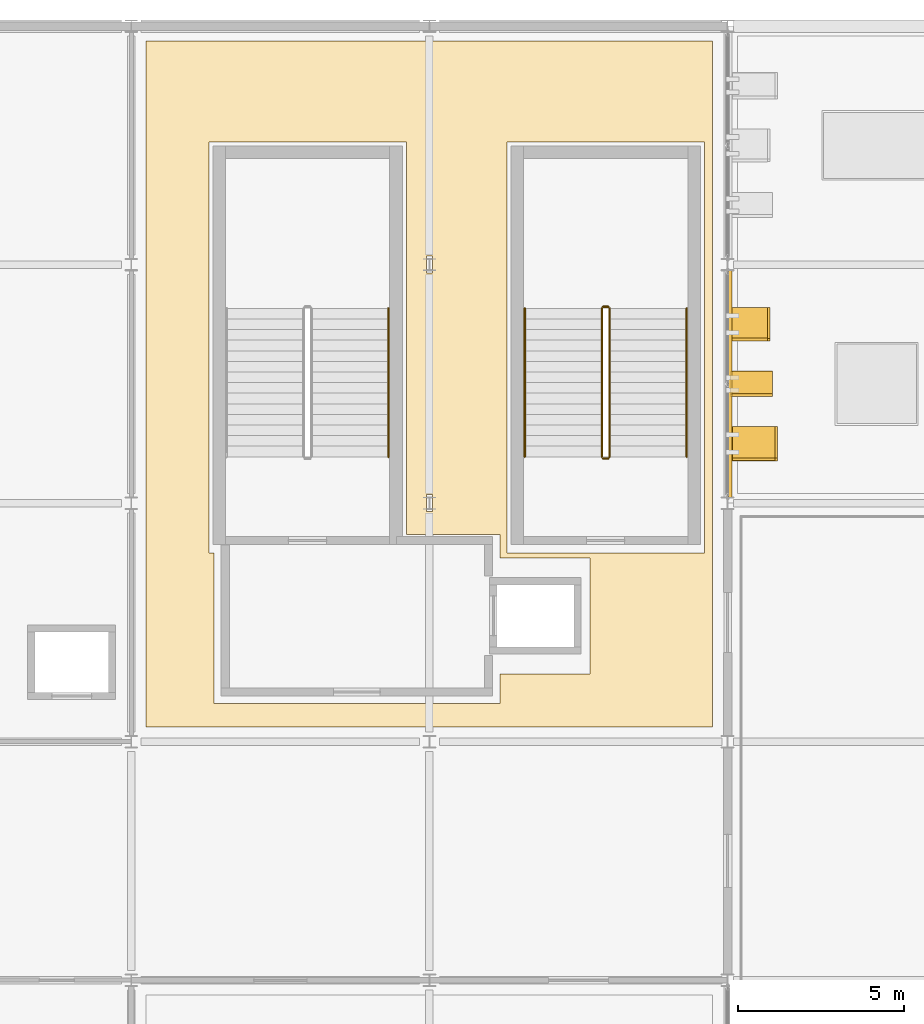
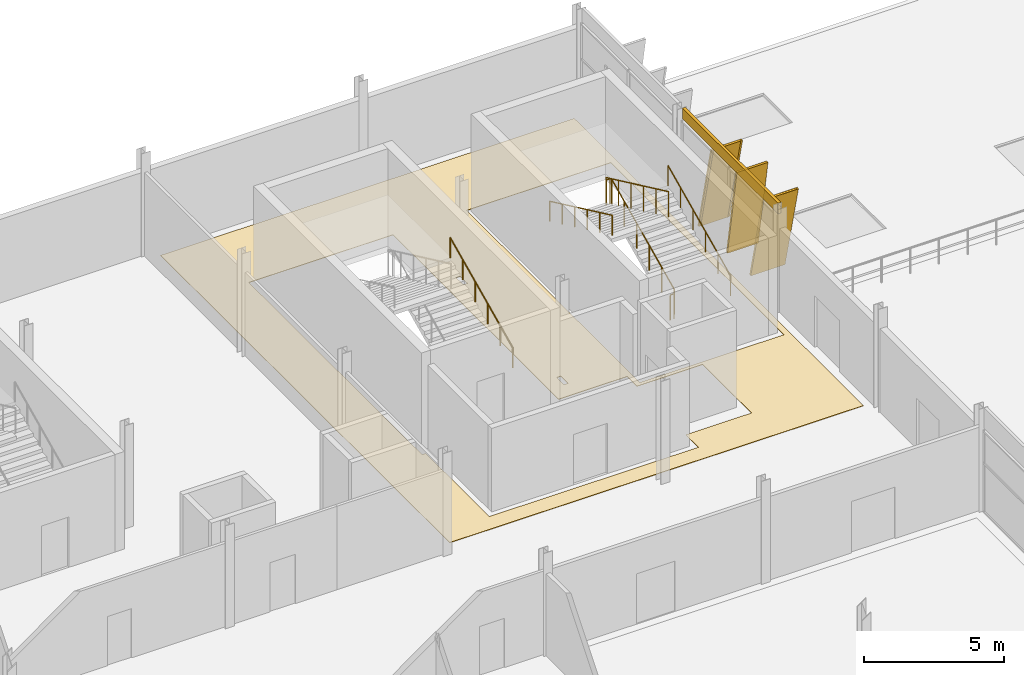
# One storey, part 77 of 78: 7 railings, 5 coverings, 3 shading devices.
"""IFC4 building model written with IfcOpenShell, lengths in metres."""

from ifc_helpers import new_model, si_unit, direction, frame, origin, origin_2d, place, context, subcontext, project, spatial, polyline, rectangle, circle, outline, extrude, material, layer, layer_set, material_profile, profile_set, type_object, element, save


model = new_model("IFC4")

# Units and contexts
model_context = context("Model", 3, precision=1e-05, world=origin(), true_north=direction((0.0, 1.0)))
body_context = subcontext(model_context, "Body", "Model", "MODEL_VIEW")
ifc_project = project(units=[si_unit("LENGTHUNIT", "METRE"), si_unit("AREAUNIT", "SQUARE_METRE"), si_unit("VOLUMEUNIT", "CUBIC_METRE"), si_unit("PLANEANGLEUNIT", "RADIAN"), si_unit("MASSUNIT", "GRAM", prefix="KILO")], contexts=[model_context])

# Site, building, storey
site_placement = place(None, origin())
site = spatial("IfcSite", under=ifc_project, at=site_placement, CompositionType="ELEMENT")
building_placement = place(site_placement, origin())
building = spatial("IfcBuilding", under=site, at=building_placement, Name="Celestram Park Convention Centre", CompositionType="ELEMENT")
storey_placement = place(building_placement, frame((0.0, 0.0, 19.800048828125)))
storey = spatial("IfcBuildingStorey", under=building, at=storey_placement, Name="L04", CompositionType="ELEMENT", Elevation=19.800048828125)

# Coverings
ifc_material_1 = material(Name="Anodised Bronze Aluminium Spandrel Cladding", Category="aluminium")
ifc_layer_1 = layer(ifc_material_1, 0.050048828125)
ifc_layer_set_1 = layer_set([ifc_layer_1], Name="Anodised Bronze Aluminium Spandrel Cladding")
covering_type_1 = type_object("IfcCoveringType", Name="ARC-COV-CLD060", PredefinedType="CLADDING", material=ifc_layer_set_1)
covering_1_placement = place(storey_placement, frame((99.080078125, 154.800048828125, 4.02978515625), z_axis=(0.0, 0.0, 1.0), x_axis=(0.0, -1.0, 0.0)))
element("IfcCovering", 1, at=covering_1_placement, inside=storey, type_object=covering_type_1, Name="Bronze spandrel cladding CL-L04-238", PredefinedType="CLADDING", context=body_context, shape_type="SweptSolid", body=[
    extrude(rectangle(XDim=6.847900390625, YDim=0.1201171875, at=origin_2d()), origin(), (0.0, 0.0, 1.0), 0.469970703125),
])
ifc_material_2 = material(Name="Timber-Toned Anodised Aluminium Alloy 6063-T6", Category="wood")
ifc_material_profile_1 = material_profile(ifc_material_2, rectangle(XDim=1.1201171875, YDim=0.090087890625, at=origin_2d()), Name="REED1120X90")
ifc_profile_set_1 = profile_set([ifc_material_profile_1], Name="Timber-Toned Anodised Aluminium Alloy 6063-T6")
covering_type_2 = type_object("IfcCoveringType", Name="ARC-COV-FIN1120", PredefinedType="CLADDING", material=ifc_profile_set_1)
covering_2_placement = place(storey_placement, frame((99.639892578125, 157.0634765625, 0.059326171875), z_axis=(0.0, -0.231749798909, 0.972775426656), x_axis=(1.0, 0.0, 0.0)))
element("IfcCovering", 2, at=covering_2_placement, inside=storey, type_object=covering_type_2, Name="Leaning timber-toned reed fin RFN-L04-0756", PredefinedType="CLADDING", context=body_context, shape_type="SweptSolid", body=[
    extrude(rectangle(XDim=1.1201171875, YDim=0.090087890625, at=origin_2d()), origin(), (0.0, 0.0, 1.0), 4.0),
])
ifc_material_profile_2 = material_profile(ifc_material_2, rectangle(XDim=1.280029296875, YDim=0.090087890625, at=origin_2d()), Name="REED1280X90")
ifc_profile_set_2 = profile_set([ifc_material_profile_2], Name="Timber-Toned Anodised Aluminium Alloy 6063-T6")
covering_type_3 = type_object("IfcCoveringType", Name="ARC-COV-FIN1280", PredefinedType="CLADDING", material=ifc_profile_set_2)
covering_3_placement = place(storey_placement, frame((99.719970703125, 155.140380859375, 0.0341796875), z_axis=(0.0, -0.170166486945, 0.985415327017), x_axis=(1.0, 0.0, 0.0)))
element("IfcCovering", 3, at=covering_3_placement, inside=storey, type_object=covering_type_3, Name="Leaning timber-toned reed fin RFN-L04-0757", PredefinedType="CLADDING", context=body_context, shape_type="SweptSolid", body=[
    extrude(rectangle(XDim=1.280029296875, YDim=0.090087890625, at=origin_2d()), origin(), (0.0, 0.0, 1.0), 4.0),
])
ifc_material_profile_3 = material_profile(ifc_material_2, rectangle(XDim=1.419921875, YDim=0.090087890625, at=origin_2d()), Name="REED1420X90")
ifc_profile_set_3 = profile_set([ifc_material_profile_3], Name="Timber-Toned Anodised Aluminium Alloy 6063-T6")
covering_type_4 = type_object("IfcCoveringType", Name="ARC-COV-FIN1420", PredefinedType="CLADDING", material=ifc_profile_set_3)
covering_4_placement = place(storey_placement, frame((99.7900390625, 153.47705078125, 0.062744140625), z_axis=(0.0, -0.238526755046, 0.971135926185), x_axis=(1.0, 0.0, 0.0)))
element("IfcCovering", 4, at=covering_4_placement, inside=storey, type_object=covering_type_4, Name="Leaning timber-toned reed fin RFN-L04-0758", PredefinedType="CLADDING", context=body_context, shape_type="SweptSolid", body=[
    extrude(rectangle(XDim=1.419921875, YDim=0.090087890625, at=origin_2d()), origin(), (0.0, 0.0, 1.0), 4.0),
])
ifc_material_3 = material(Name="Polished Lakefront Aggregate Terrazzo Flooring", Category="concrete")
ifc_layer_2 = layer(ifc_material_3, 0.02001953125)
ifc_layer_set_2 = layer_set([ifc_layer_2], Name="Polished Lakefront Aggregate Terrazzo Flooring")
covering_type_5 = type_object("IfcCoveringType", Name="ARC-COV-FLR020", PredefinedType="FLOORING", material=ifc_layer_set_2)
covering_5_placement = place(storey_placement, origin())
element("IfcCovering", 5, at=covering_5_placement, inside=storey, type_object=covering_type_5, Name="East Elevator Lobby L04 terrazzo flooring", PredefinedType="FLOORING", context=body_context, shape_type="SweptSolid", body=[
    extrude(outline(polyline([(98.550048828125, 165.14990234375), (98.550048828125, 144.449951171875), (81.449951171875, 144.449951171875), (81.449951171875, 165.14990234375), (98.550048828125, 165.14990234375)]), holes=[polyline([(83.489990234375, 145.14990234375), (92.1298828125, 145.14990234375), (92.1298828125, 146.050048828125), (94.85009765625, 146.050048828125), (94.85009765625, 149.550048828125), (92.1298828125, 149.550048828125), (92.1298828125, 150.25), (89.300048828125, 150.25), (89.300048828125, 162.10009765625), (83.340087890625, 162.10009765625), (83.340087890625, 149.699951171875), (83.489990234375, 149.699951171875), (83.489990234375, 145.14990234375)]), polyline([(92.340087890625, 162.10009765625), (92.340087890625, 149.699951171875), (98.300048828125, 149.699951171875), (98.300048828125, 162.10009765625), (92.340087890625, 162.10009765625)]), polyline([(89.9150390625, 151.4560546875), (89.9150390625, 150.944091796875), (90.0849609375, 150.944091796875), (90.0849609375, 151.4560546875), (89.9150390625, 151.4560546875)]), polyline([(89.9150390625, 158.14404296875), (90.0849609375, 158.14404296875), (90.0849609375, 158.656005859375), (89.9150390625, 158.656005859375), (89.9150390625, 158.14404296875)])]), origin(), (0.0, 0.0, 1.0), 0.02001953125),
])

# Shading devices
ifc_material_4 = material(Name="Anodised Bronze Aluminium Alloy 6063-T6", Category="aluminium")
ifc_material_profile_4 = material_profile(ifc_material_4, rectangle(XDim=1.280029296875, YDim=0.080078125, at=origin_2d()), Name="FIN1280X80")
ifc_profile_set_4 = profile_set([ifc_material_profile_4], Name="Anodised Bronze Aluminium Alloy 6063-T6")
shading_device_type = type_object("IfcShadingDeviceType", Name="ARC-FIN-BZ1280", PredefinedType="USERDEFINED", material=ifc_profile_set_4)
for number, where, z_axis, x_axis, name in (
    (6, (99.639892578125, 157.0634765625, 0.059326171875), (0.0, -0.231749798909, 0.972775426656), (1.0, 0.0, 0.0), "Expressive solar fin FN-L04-0756"),
    (7, (99.719970703125, 155.140380859375, 0.0341796875), (0.0, -0.170166486945, 0.985415327017), (1.0, 0.0, 0.0), "Expressive solar fin FN-L04-0757"),
    (8, (99.7900390625, 153.47705078125, 0.062744140625), (0.0, -0.238526755046, 0.971135926185), (1.0, 0.0, 0.0), "Expressive solar fin FN-L04-0758"),
):
    element("IfcShadingDevice", number, at=place(storey_placement, frame(where, z_axis=z_axis, x_axis=x_axis)), inside=storey, type_object=shading_device_type, Name=name, ObjectType="SOLAR_FIN", PredefinedType="USERDEFINED", context=body_context, shape_type="SweptSolid", body=[
        extrude(rectangle(XDim=1.280029296875, YDim=0.080078125, at=origin_2d()), origin(), (0.0, 0.0, 1.0), 4.0),
    ])

# Railings
ifc_material_5 = material(Name="Stainless Steel AISI 316L & Laminated Glass", Category="steel")
ifc_layer_3 = layer(ifc_material_5, 0.06005859375)
ifc_layer_set_3 = layer_set([ifc_layer_3], Name="Stainless Steel AISI 316L & Laminated Glass")
railing_type_1 = type_object("IfcRailingType", Name="ARC-RL-GRD1120", PredefinedType="GUARDRAIL", material=ifc_layer_set_3)
railing_1_placement = place(storey_placement, frame((95.43603515625, 152.60009765625, 0.14990234375)))
element("IfcRailing", 9, at=railing_1_placement, inside=storey, type_object=railing_type_1, Name="L04 ST-19 stair guard 1", PredefinedType="GUARDRAIL", context=body_context, shape_type="SweptSolid", body=[
    extrude(circle(Radius=0.02392578125, at=origin_2d()), frame((0.0, 0.0, 1.09619140625), z_axis=(0.0, 0.905450639465, 0.424451574969), x_axis=(-1.0, 0.0, 0.0)), (0.0, 0.0, 1.0), 4.94775390625),
    extrude(circle(Radius=0.02099609375, at=origin_2d()), origin(), (0.0, 0.0, 1.0), 1.072021484375),
    extrude(circle(Radius=0.02099609375, at=origin_2d()), frame((0.0, 0.89599609375, 0.419921875)), (0.0, 0.0, 1.0), 1.072021484375),
    extrude(circle(Radius=0.02099609375, at=origin_2d()), frame((0.0, 1.7919921875, 0.840087890625)), (0.0, 0.0, 1.0), 1.072021484375),
    extrude(circle(Radius=0.02099609375, at=origin_2d()), frame((0.0, 2.68798828125, 1.260009765625)), (0.0, 0.0, 1.0), 1.072021484375),
    extrude(circle(Radius=0.02099609375, at=origin_2d()), frame((0.0, 3.583984375, 1.68017578125)), (0.0, 0.0, 1.0), 1.072021484375),
    extrude(circle(Radius=0.02099609375, at=origin_2d()), frame((0.0, 4.47998046875, 2.10009765625)), (0.0, 0.0, 1.0), 1.072021484375),
])
railing_2_placement = place(storey_placement, frame((95.39990234375, 157.1298828125, 2.25)))
element("IfcRailing", 10, at=railing_2_placement, inside=storey, type_object=railing_type_1, Name="L04 ST-19 stair guard 2", PredefinedType="GUARDRAIL", context=body_context, shape_type="SweptSolid", body=[
    extrude(circle(Radius=0.02392578125, at=origin_2d()), frame((0.0, 0.0, 1.09619140625), z_axis=(-1.0, 0.0, 0.0), x_axis=(0.0, -1.0, 0.0)), (0.0, 0.0, 1.0), 0.159912109375),
    extrude(circle(Radius=0.02099609375, at=origin_2d()), origin(), (0.0, 0.0, 1.0), 1.072021484375),
    extrude(circle(Radius=0.02099609375, at=origin_2d()), frame((-0.159912109375, 0.0, 0.0)), (0.0, 0.0, 1.0), 1.072021484375),
])
railing_3_placement = place(storey_placement, frame((95.2041015625, 157.080078125, 2.39990234375)))
element("IfcRailing", 11, at=railing_3_placement, inside=storey, type_object=railing_type_1, Name="L04 ST-19 stair guard 3", PredefinedType="GUARDRAIL", context=body_context, shape_type="SweptSolid", body=[
    extrude(circle(Radius=0.02392578125, at=origin_2d()), frame((0.0, 0.0, 1.09619140625), z_axis=(0.0, -0.905450639465, 0.424451574969), x_axis=(1.0, 0.0, 0.0)), (0.0, 0.0, 1.0), 4.94775390625),
    extrude(circle(Radius=0.02099609375, at=origin_2d()), origin(), (0.0, 0.0, 1.0), 1.072021484375),
    extrude(circle(Radius=0.02099609375, at=origin_2d()), frame((0.0, -0.89599609375, 0.419921875)), (0.0, 0.0, 1.0), 1.072021484375),
    extrude(circle(Radius=0.02099609375, at=origin_2d()), frame((0.0, -1.7919921875, 0.840087890625)), (0.0, 0.0, 1.0), 1.072021484375),
    extrude(circle(Radius=0.02099609375, at=origin_2d()), frame((0.0, -2.68798828125, 1.260009765625)), (0.0, 0.0, 1.0), 1.072021484375),
    extrude(circle(Radius=0.02099609375, at=origin_2d()), frame((0.0, -3.583984375, 1.68017578125)), (0.0, 0.0, 1.0), 1.072021484375),
    extrude(circle(Radius=0.02099609375, at=origin_2d()), frame((0.0, -4.47998046875, 2.10009765625)), (0.0, 0.0, 1.0), 1.072021484375),
])
railing_4_placement = place(storey_placement, frame((95.39990234375, 152.550048828125, 0.0)))
element("IfcRailing", 12, at=railing_4_placement, inside=storey, type_object=railing_type_1, Name="L04 ST-19 stair guard 4", PredefinedType="GUARDRAIL", context=body_context, shape_type="SweptSolid", body=[
    extrude(circle(Radius=0.02392578125, at=origin_2d()), frame((0.0, 0.0, 1.09619140625), z_axis=(-1.0, 0.0, 0.0), x_axis=(0.0, -1.0, 0.0)), (0.0, 0.0, 1.0), 0.159912109375),
    extrude(circle(Radius=0.02099609375, at=origin_2d()), origin(), (0.0, 0.0, 1.0), 1.072021484375),
    extrude(circle(Radius=0.02099609375, at=origin_2d()), frame((-0.159912109375, 0.0, 0.0)), (0.0, 0.0, 1.0), 1.072021484375),
])
ifc_material_6 = material(Name="Brushed Stainless Steel AISI 304", Category="steel")
ifc_layer_4 = layer(ifc_material_6, 0.048095703125)
ifc_layer_set_4 = layer_set([ifc_layer_4], Name="Brushed Stainless Steel AISI 304")
railing_type_2 = type_object("IfcRailingType", Name="ARC-RL-HND915", PredefinedType="HANDRAIL", material=ifc_layer_set_4)
for number, where, name in (
    (13, (88.763916015625, 152.60009765625, 0.14990234375), "L04 ST-02 stair handrail 1"),
    (14, (97.763916015625, 152.60009765625, 0.14990234375), "L04 ST-19 stair handrail 1"),
):
    element("IfcRailing", number, at=place(storey_placement, frame(where)), inside=storey, type_object=railing_type_2, Name=name, PredefinedType="HANDRAIL", context=body_context, shape_type="SweptSolid", body=[
        extrude(circle(Radius=0.02392578125, at=origin_2d()), frame((0.0, 0.0, 0.8759765625), z_axis=(0.0, 0.905450639465, 0.424451574969), x_axis=(-1.0, 0.0, 0.0)), (0.0, 0.0, 1.0), 4.94775390625),
        extrude(circle(Radius=0.02099609375, at=origin_2d()), origin(), (0.0, 0.0, 1.0), 0.851806640625),
        extrude(circle(Radius=0.02099609375, at=origin_2d()), frame((0.0, 0.89599609375, 0.419921875)), (0.0, 0.0, 1.0), 0.851806640625),
        extrude(circle(Radius=0.02099609375, at=origin_2d()), frame((0.0, 1.7919921875, 0.840087890625)), (0.0, 0.0, 1.0), 0.851806640625),
        extrude(circle(Radius=0.02099609375, at=origin_2d()), frame((0.0, 2.68798828125, 1.260009765625)), (0.0, 0.0, 1.0), 0.851806640625),
        extrude(circle(Radius=0.02099609375, at=origin_2d()), frame((0.0, 3.583984375, 1.68017578125)), (0.0, 0.0, 1.0), 0.851806640625),
        extrude(circle(Radius=0.02099609375, at=origin_2d()), frame((0.0, 4.47998046875, 2.10009765625)), (0.0, 0.0, 1.0), 0.851806640625),
    ])
railing_5_placement = place(storey_placement, frame((92.8759765625, 157.080078125, 2.39990234375)))
element("IfcRailing", 15, at=railing_5_placement, inside=storey, type_object=railing_type_2, Name="L04 ST-19 stair handrail 2", PredefinedType="HANDRAIL", context=body_context, shape_type="SweptSolid", body=[
    extrude(circle(Radius=0.02392578125, at=origin_2d()), frame((0.0, 0.0, 0.8759765625), z_axis=(0.0, -0.905450639465, 0.424451574969), x_axis=(1.0, 0.0, 0.0)), (0.0, 0.0, 1.0), 4.94775390625),
    extrude(circle(Radius=0.02099609375, at=origin_2d()), origin(), (0.0, 0.0, 1.0), 0.851806640625),
    extrude(circle(Radius=0.02099609375, at=origin_2d()), frame((0.0, -0.89599609375, 0.419921875)), (0.0, 0.0, 1.0), 0.851806640625),
    extrude(circle(Radius=0.02099609375, at=origin_2d()), frame((0.0, -1.7919921875, 0.840087890625)), (0.0, 0.0, 1.0), 0.851806640625),
    extrude(circle(Radius=0.02099609375, at=origin_2d()), frame((0.0, -2.68798828125, 1.260009765625)), (0.0, 0.0, 1.0), 0.851806640625),
    extrude(circle(Radius=0.02099609375, at=origin_2d()), frame((0.0, -3.583984375, 1.68017578125)), (0.0, 0.0, 1.0), 0.851806640625),
    extrude(circle(Radius=0.02099609375, at=origin_2d()), frame((0.0, -4.47998046875, 2.10009765625)), (0.0, 0.0, 1.0), 0.851806640625),
])

save(model, "model.ifc")
